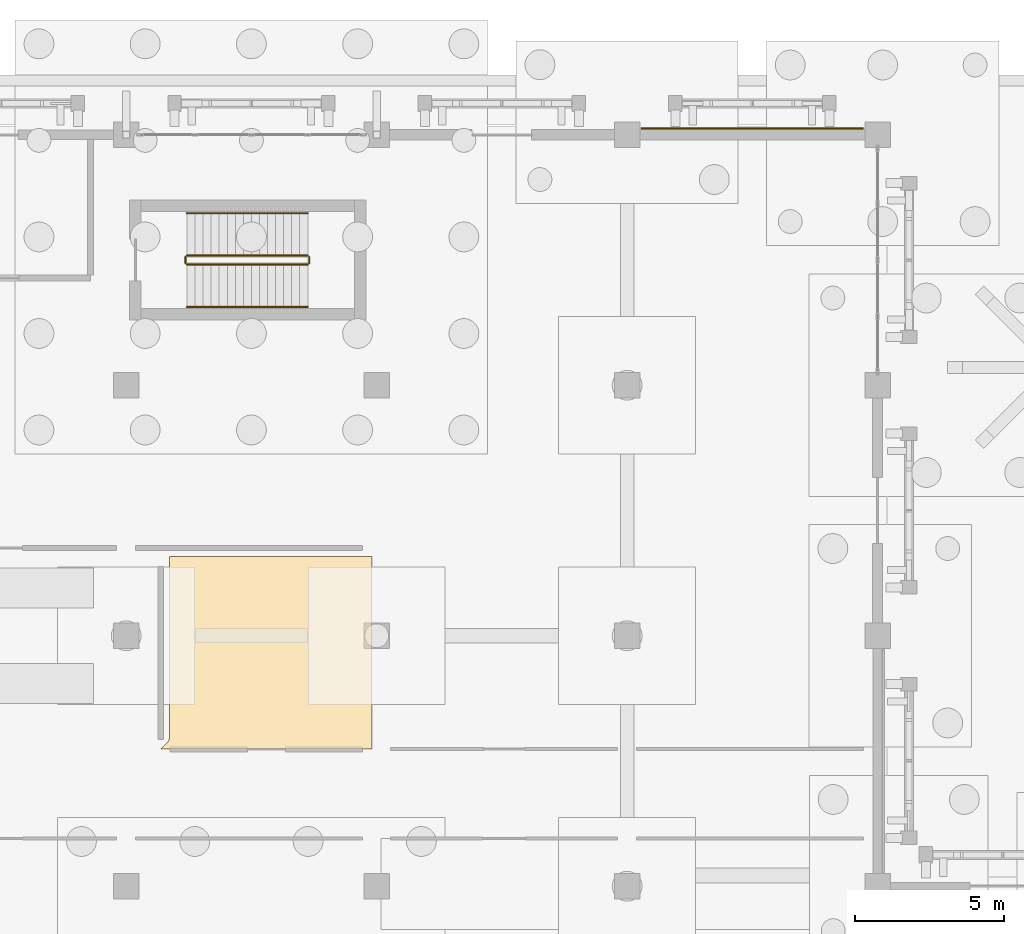
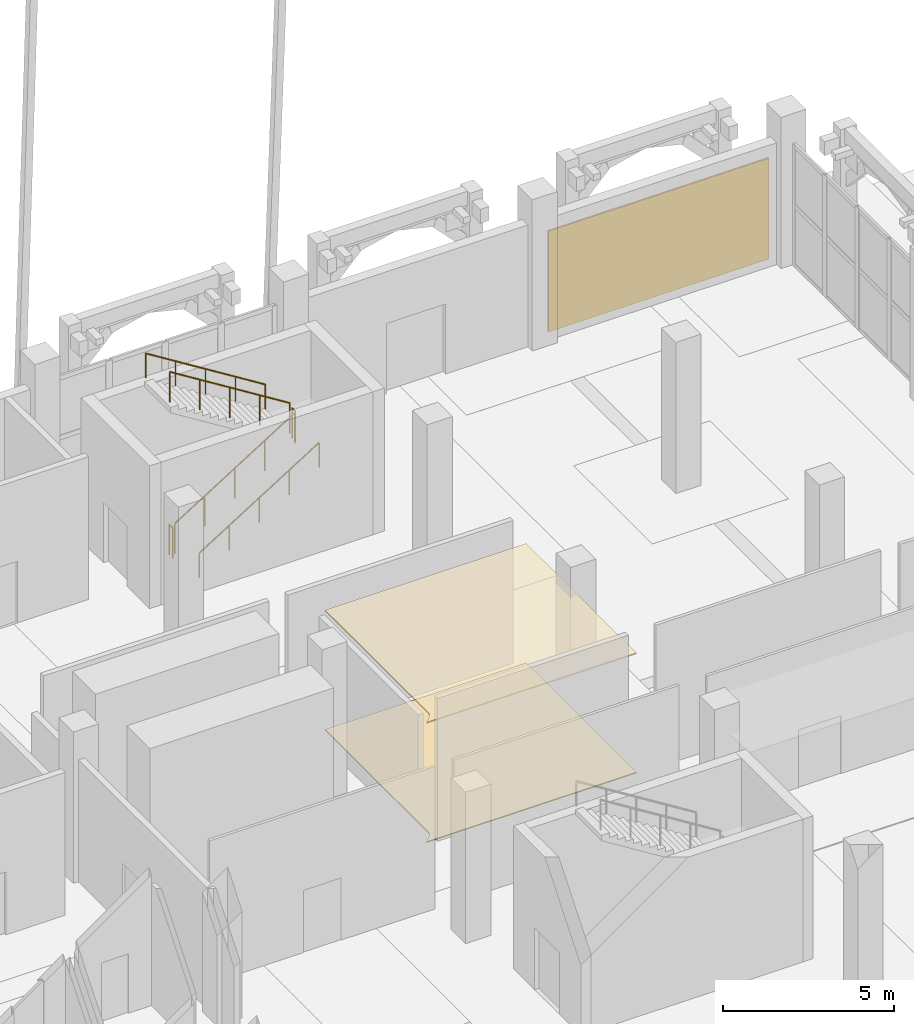
# One storey, part 90 of 98: 6 railings, 3 coverings.
"""IFC4 building model written with IfcOpenShell, lengths in metres."""

from ifc_helpers import new_model, si_unit, direction, frame, origin, origin_2d, place, context, subcontext, project, spatial, polyline, rectangle, circle, outline, extrude, material, layer, layer_set, type_object, element, save


model = new_model("IFC4")

# Units and contexts
model_context = context("Model", 3, precision=1e-05, world=origin(), true_north=direction((0.0, 1.0)))
body_context = subcontext(model_context, "Body", "Model", "MODEL_VIEW")
ifc_project = project(units=[si_unit("LENGTHUNIT", "METRE"), si_unit("AREAUNIT", "SQUARE_METRE"), si_unit("VOLUMEUNIT", "CUBIC_METRE"), si_unit("PLANEANGLEUNIT", "RADIAN"), si_unit("MASSUNIT", "GRAM", prefix="KILO")], contexts=[model_context])

# Site, building, storey
site_placement = place(None, origin())
site = spatial("IfcSite", under=ifc_project, at=site_placement, CompositionType="ELEMENT")
building_placement = place(site_placement, origin())
building = spatial("IfcBuilding", under=site, at=building_placement, Name="Xazarin Passage Department Store", CompositionType="ELEMENT")
storey_placement = place(building_placement, origin())
storey = spatial("IfcBuildingStorey", under=building, at=storey_placement, Name="L00", CompositionType="ELEMENT", Elevation=0.0)

# Coverings
ifc_material_1 = material(Name="Absheron limestone cladding", Category="masonry")
ifc_layer_1 = layer(ifc_material_1, 0.06005859375)
ifc_layer_set_1 = layer_set([ifc_layer_1], Name="Absheron limestone cladding")
covering_type_1 = type_object("IfcCoveringType", Name="ARC-COV-CLD060", PredefinedType="CLADDING", material=ifc_layer_set_1)
covering_1_placement = place(storey_placement, frame((46.199951171875, 110.2099609375, 0.0), z_axis=(0.0, 0.0, 1.0), x_axis=(1.0, 0.0, 0.0)))
element("IfcCovering", 1, at=covering_1_placement, inside=storey, type_object=covering_type_1, Name="L00 Absheron Limestone Plinth Cladding 013", PredefinedType="CLADDING", context=body_context, shape_type="SweptSolid", body=[
    extrude(rectangle(XDim=7.449951171875, YDim=0.06005859375, at=origin_2d()), origin(), (0.0, 0.0, 1.0), 3.60009765625),
])
ifc_material_2 = material(Name="Acoustic mineral ceiling")
ifc_layer_2 = layer(ifc_material_2, 0.0400390625)
ifc_layer_set_2 = layer_set([ifc_layer_2], Name="Acoustic mineral ceiling")
covering_type_2 = type_object("IfcCoveringType", Name="ARC-COV-CLG040", PredefinedType="CEILING", material=ifc_layer_set_2)
covering_2_placement = place(storey_placement, frame((0.0, 0.0, 4.260009765625)))
element("IfcCovering", 2, at=covering_2_placement, inside=storey, type_object=covering_type_2, Name="L00 Perfume and Jewellery Salon Acoustic Ceiling", PredefinedType="CEILING", context=body_context, shape_type="SweptSolid", body=[
    extrude(outline(polyline([(26.353515625, 89.39990234375), (33.449951171875, 89.39990234375), (33.449951171875, 95.85009765625), (26.64990234375, 95.85009765625), (26.64990234375, 89.800048828125), (26.648681640625, 89.775390625), (26.645263671875, 89.751220703125), (26.63916015625, 89.727294921875), (26.631103515625, 89.704345703125), (26.62060546875, 89.68212890625), (26.60791015625, 89.6611328125), (26.59326171875, 89.641357421875), (26.576904296875, 89.623291015625), (26.353515625, 89.39990234375)])), origin(), (0.0, 0.0, 1.0), 0.0400390625),
])
ifc_material_3 = material(Name="Terrazzo stone flooring", Category="masonry")
ifc_layer_3 = layer(ifc_material_3, 0.034912109375)
ifc_layer_set_3 = layer_set([ifc_layer_3], Name="Terrazzo stone flooring")
covering_type_3 = type_object("IfcCoveringType", Name="ARC-COV-FLR035", PredefinedType="FLOORING", material=ifc_layer_set_3)
covering_3_placement = place(storey_placement, origin())
element("IfcCovering", 3, at=covering_3_placement, inside=storey, type_object=covering_type_3, Name="L00 Perfume and Jewellery Salon Terrazzo Flooring", PredefinedType="FLOORING", context=body_context, shape_type="SweptSolid", body=[
    extrude(outline(polyline([(26.353515625, 89.39990234375), (33.449951171875, 89.39990234375), (33.449951171875, 95.85009765625), (26.64990234375, 95.85009765625), (26.64990234375, 89.800048828125), (26.648681640625, 89.775390625), (26.645263671875, 89.751220703125), (26.63916015625, 89.727294921875), (26.631103515625, 89.704345703125), (26.62060546875, 89.68212890625), (26.60791015625, 89.6611328125), (26.59326171875, 89.641357421875), (26.576904296875, 89.623291015625), (26.353515625, 89.39990234375)])), origin(), (0.0, 0.0, 1.0), 0.034912109375),
])

# Railings
ifc_material_4 = material(Name="Steel S355", Category="steel")
railing_type_1 = type_object("IfcRailingType", Name="ARC-RL-GRD112", PredefinedType="GUARDRAIL", material=ifc_material_4)
railing_1_placement = place(storey_placement, frame((27.239990234375, 105.64990234375, 0.168701171875)))
element("IfcRailing", 4, at=railing_1_placement, inside=storey, type_object=railing_type_1, Name="L00 ST2 stair guard 1", PredefinedType="GUARDRAIL", context=body_context, shape_type="SweptSolid", body=[
    extrude(circle(Radius=0.02392578125, at=origin_2d()), frame((0.0, 0.0, 1.076171875), z_axis=(0.848001175806, 0.0, 0.529994345094), x_axis=(0.0, 1.0, 0.0)), (0.0, 0.0, 1.0), 4.77587890625),
    extrude(circle(Radius=0.02099609375, at=origin_2d()), origin(), (0.0, 0.0, 1.0), 1.0517578125),
    extrude(circle(Radius=0.02099609375, at=origin_2d()), frame((1.012451171875, 0.0, 0.6328125)), (0.0, 0.0, 1.0), 1.0517578125),
    extrude(circle(Radius=0.02099609375, at=origin_2d()), frame((2.02490234375, 0.0, 1.265625)), (0.0, 0.0, 1.0), 1.0517578125),
    extrude(circle(Radius=0.02099609375, at=origin_2d()), frame((3.03759765625, 0.0, 1.8984375)), (0.0, 0.0, 1.0), 1.0517578125),
    extrude(circle(Radius=0.02099609375, at=origin_2d()), frame((4.050048828125, 0.0, 2.53125)), (0.0, 0.0, 1.0), 1.0517578125),
])
railing_2_placement = place(storey_placement, frame((31.340087890625, 105.699951171875, 2.699951171875)))
element("IfcRailing", 5, at=railing_2_placement, inside=storey, type_object=railing_type_1, Name="L00 ST2 stair guard 2", PredefinedType="GUARDRAIL", context=body_context, shape_type="SweptSolid", body=[
    extrude(circle(Radius=0.02392578125, at=origin_2d()), frame((0.0, 0.0, 1.076171875), z_axis=(0.0, 1.0, 0.0), x_axis=(-1.0, 0.0, 0.0)), (0.0, 0.0, 1.0), 0.199951171875),
    extrude(circle(Radius=0.02099609375, at=origin_2d()), origin(), (0.0, 0.0, 1.0), 1.0517578125),
    extrude(circle(Radius=0.02099609375, at=origin_2d()), frame((0.0, 0.199951171875, 0.0)), (0.0, 0.0, 1.0), 1.0517578125),
])
railing_3_placement = place(storey_placement, frame((31.2900390625, 105.949951171875, 2.86865234375)))
element("IfcRailing", 6, at=railing_3_placement, inside=storey, type_object=railing_type_1, Name="L00 ST2 stair guard 3", PredefinedType="GUARDRAIL", context=body_context, shape_type="SweptSolid", body=[
    extrude(circle(Radius=0.02392578125, at=origin_2d()), frame((0.0, 0.0, 1.076171875), z_axis=(-0.848001175806, 0.0, 0.529994345094), x_axis=(0.0, -1.0, 0.0)), (0.0, 0.0, 1.0), 4.77587890625),
    extrude(circle(Radius=0.02099609375, at=origin_2d()), origin(), (0.0, 0.0, 1.0), 1.0517578125),
    extrude(circle(Radius=0.02099609375, at=origin_2d()), frame((-1.012451171875, 0.0, 0.6328125)), (0.0, 0.0, 1.0), 1.0517578125),
    extrude(circle(Radius=0.02099609375, at=origin_2d()), frame((-2.02490234375, 0.0, 1.265625)), (0.0, 0.0, 1.0), 1.0517578125),
    extrude(circle(Radius=0.02099609375, at=origin_2d()), frame((-3.03759765625, 0.0, 1.8984375)), (0.0, 0.0, 1.0), 1.0517578125),
    extrude(circle(Radius=0.02099609375, at=origin_2d()), frame((-4.050048828125, 0.0, 2.53125)), (0.0, 0.0, 1.0), 1.0517578125),
])
railing_4_placement = place(storey_placement, frame((27.18994140625, 105.699951171875, 0.0)))
element("IfcRailing", 7, at=railing_4_placement, inside=storey, type_object=railing_type_1, Name="L00 ST2 stair guard 4", PredefinedType="GUARDRAIL", context=body_context, shape_type="SweptSolid", body=[
    extrude(circle(Radius=0.02392578125, at=origin_2d()), frame((0.0, 0.0, 1.076171875), z_axis=(0.0, 1.0, 0.0), x_axis=(-1.0, 0.0, 0.0)), (0.0, 0.0, 1.0), 0.199951171875),
    extrude(circle(Radius=0.02099609375, at=origin_2d()), origin(), (0.0, 0.0, 1.0), 1.0517578125),
    extrude(circle(Radius=0.02099609375, at=origin_2d()), frame((0.0, 0.199951171875, 0.0)), (0.0, 0.0, 1.0), 1.0517578125),
])
railing_type_2 = type_object("IfcRailingType", Name="ARC-RL-HND090", PredefinedType="HANDRAIL", material=ifc_material_4)
railing_5_placement = place(storey_placement, frame((27.239990234375, 104.22998046875, 0.168701171875)))
element("IfcRailing", 8, at=railing_5_placement, inside=storey, type_object=railing_type_2, Name="L00 ST2 stair handrail 1", PredefinedType="HANDRAIL", context=body_context, shape_type="SweptSolid", body=[
    extrude(circle(Radius=0.02392578125, at=origin_2d()), frame((0.0, 0.0, 0.8759765625), z_axis=(0.848001175806, 0.0, 0.529994345094), x_axis=(0.0, 1.0, 0.0)), (0.0, 0.0, 1.0), 4.77587890625),
    extrude(circle(Radius=0.02099609375, at=origin_2d()), origin(), (0.0, 0.0, 1.0), 0.8515625),
    extrude(circle(Radius=0.02099609375, at=origin_2d()), frame((1.012451171875, 0.0, 0.6328125)), (0.0, 0.0, 1.0), 0.8515625),
    extrude(circle(Radius=0.02099609375, at=origin_2d()), frame((2.02490234375, 0.0, 1.265625)), (0.0, 0.0, 1.0), 0.8515625),
    extrude(circle(Radius=0.02099609375, at=origin_2d()), frame((3.03759765625, 0.0, 1.8984375)), (0.0, 0.0, 1.0), 0.8515625),
    extrude(circle(Radius=0.02099609375, at=origin_2d()), frame((4.050048828125, 0.0, 2.53125)), (0.0, 0.0, 1.0), 0.8515625),
])
railing_6_placement = place(storey_placement, frame((31.2900390625, 107.3701171875, 2.86865234375)))
element("IfcRailing", 9, at=railing_6_placement, inside=storey, type_object=railing_type_2, Name="L00 ST2 stair handrail 2", PredefinedType="HANDRAIL", context=body_context, shape_type="SweptSolid", body=[
    extrude(circle(Radius=0.02392578125, at=origin_2d()), frame((0.0, 0.0, 0.8759765625), z_axis=(-0.848001175806, 0.0, 0.529994345094), x_axis=(0.0, -1.0, 0.0)), (0.0, 0.0, 1.0), 4.77587890625),
    extrude(circle(Radius=0.02099609375, at=origin_2d()), origin(), (0.0, 0.0, 1.0), 0.8515625),
    extrude(circle(Radius=0.02099609375, at=origin_2d()), frame((-1.012451171875, 0.0, 0.6328125)), (0.0, 0.0, 1.0), 0.8515625),
    extrude(circle(Radius=0.02099609375, at=origin_2d()), frame((-2.02490234375, 0.0, 1.265625)), (0.0, 0.0, 1.0), 0.8515625),
    extrude(circle(Radius=0.02099609375, at=origin_2d()), frame((-3.03759765625, 0.0, 1.8984375)), (0.0, 0.0, 1.0), 0.8515625),
    extrude(circle(Radius=0.02099609375, at=origin_2d()), frame((-4.050048828125, 0.0, 2.53125)), (0.0, 0.0, 1.0), 0.8515625),
])

save(model, "model.ifc")
